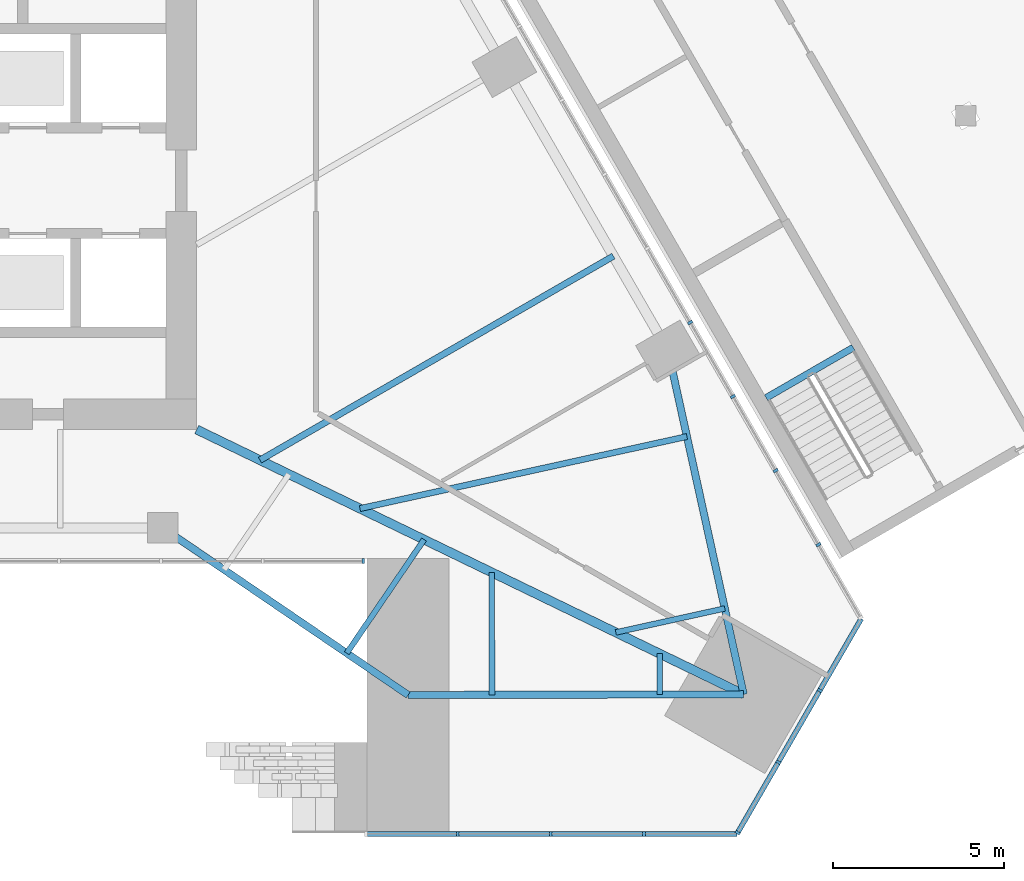
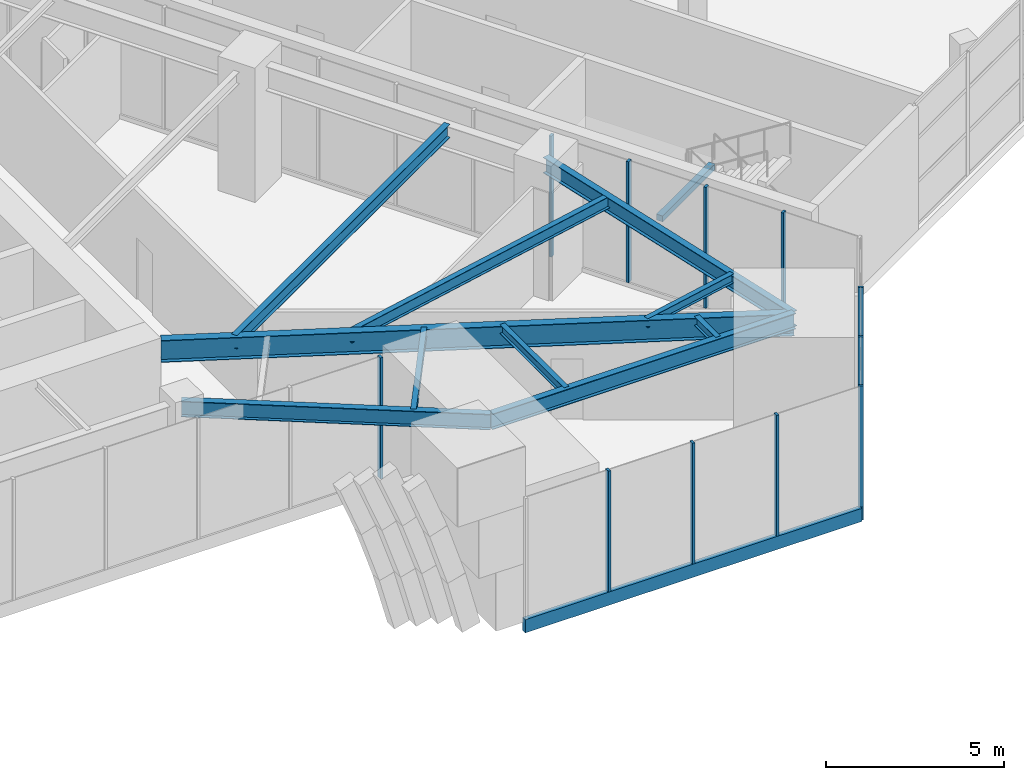
# One storey, part 7 of 29: 13 members, 11 beams, 4 elements without a shape of their own.
"""IFC4 building model written with IfcOpenShell, lengths in metres."""

from ifc_helpers import new_model, si_unit, direction, frame, origin, origin_2d, place, context, subcontext, project, spatial, rectangle, i_section, extrude, material, layer, layer_set, material_profile, profile_set, type_object, element, aggregate, save


model = new_model("IFC4")

# Units and contexts
model_context = context("Model", 3, precision=1e-05, world=origin(), true_north=direction((0.0, 1.0)))
body_context = subcontext(model_context, "Body", "Model", "MODEL_VIEW")
ifc_project = project(units=[si_unit("LENGTHUNIT", "METRE"), si_unit("AREAUNIT", "SQUARE_METRE"), si_unit("VOLUMEUNIT", "CUBIC_METRE"), si_unit("PLANEANGLEUNIT", "RADIAN"), si_unit("MASSUNIT", "GRAM", prefix="KILO")], contexts=[model_context])

# Site, building, storey
site_placement = place(None, origin())
site = spatial("IfcSite", under=ifc_project, at=site_placement, CompositionType="ELEMENT")
building_placement = place(site_placement, origin())
building = spatial("IfcBuilding", under=site, at=building_placement, Name="Firuza Gate Tower and Library", CompositionType="ELEMENT")
storey_placement = place(building_placement, frame((0.0, 0.0, 8.0)))
storey = spatial("IfcBuildingStorey", under=building, at=storey_placement, Name="L01", CompositionType="ELEMENT", Elevation=8.0)

# Curtain wall, member
ifc_material_1 = material(Name="Aluminium 6063-T6", Category="aluminium")
ifc_layer_1 = layer(ifc_material_1, 0.14990234375)
ifc_layer_set_1 = layer_set([ifc_layer_1], Name="Stick curtain wall, gate lobby")
curtain_wall_type_1 = type_object("IfcCurtainWallType", Name="Stick curtain wall, gate lobby", PredefinedType="NOTDEFINED", material=ifc_layer_set_1)
placement = place(storey_placement, origin())
curtain_wall_1 = element("IfcCurtainWall", 1, at=placement, inside=storey, type_object=curtain_wall_type_1, Name="CW7 L01 gate lobby", PredefinedType="NOTDEFINED")
ifc_material_2 = material(Name="Aluminium 6063-T6", Category="aluminium")
ifc_material_profile_1 = material_profile(ifc_material_2, rectangle(XDim=0.14990234375, YDim=0.080078125, at=origin_2d()))
ifc_profile_set_1 = profile_set([ifc_material_profile_1], Name="Aluminium 6063-T6")
member_type_1 = type_object("IfcMemberType", Name="Curtain wall mullion 80x150", PredefinedType="MULLION", material=ifc_profile_set_1)
member_1_placement = place(storey_placement, frame((92.885009765625, 62.140380859375, 0.14990234375), z_axis=(0.0, 0.0, 1.0), x_axis=(0.0, 1.0, 0.0)))
member_1 = element("IfcMember", 2, at=member_1_placement, type_object=member_type_1, Name="Mullion", PredefinedType="MULLION", context=body_context, shape_type="SweptSolid", body=[
    extrude(rectangle(XDim=0.14990234375, YDim=0.080078125, at=origin_2d()), origin(), (0.0, 0.0, 1.0), 4.150146484375),
])
aggregate(curtain_wall_1, [member_1])

# Curtain wall, members
ifc_material_3 = material(Name="Aluminium 6063-T6", Category="aluminium")
ifc_layer_2 = layer(ifc_material_3, 0.14990234375)
ifc_layer_set_2 = layer_set([ifc_layer_2], Name="Stick curtain wall, podium")
curtain_wall_type_2 = type_object("IfcCurtainWallType", Name="Stick curtain wall, podium", PredefinedType="NOTDEFINED", material=ifc_layer_set_2)
curtain_wall_2 = element("IfcCurtainWall", 3, at=placement, inside=storey, type_object=curtain_wall_type_2, Name="CW5 L01 S", PredefinedType="NOTDEFINED")
member_2_placement = place(storey_placement, frame((95.654541015625, 54.140380859375, 0.14990234375), z_axis=(0.0, 0.0, 1.0), x_axis=(0.0, 1.0, 0.0)))
member_2 = element("IfcMember", 4, at=member_2_placement, type_object=member_type_1, Name="Mullion", PredefinedType="MULLION", context=body_context, shape_type="SweptSolid", body=[
    extrude(rectangle(XDim=0.14990234375, YDim=0.080078125, at=origin_2d()), origin(), (0.0, 0.0, 1.0), 4.150146484375),
])
member_3_placement = place(storey_placement, frame((98.384033203125, 54.140380859375, 0.14990234375), z_axis=(0.0, 0.0, 1.0), x_axis=(0.0, 1.0, 0.0)))
member_3 = element("IfcMember", 5, at=member_3_placement, type_object=member_type_1, Name="Mullion", PredefinedType="MULLION", context=body_context, shape_type="SweptSolid", body=[
    extrude(rectangle(XDim=0.14990234375, YDim=0.080078125, at=origin_2d()), origin(), (0.0, 0.0, 1.0), 4.150146484375),
])
member_4_placement = place(storey_placement, frame((101.11376953125, 54.140380859375, 0.14990234375), z_axis=(0.0, 0.0, 1.0), x_axis=(0.0, 1.0, 0.0)))
member_4 = element("IfcMember", 6, at=member_4_placement, type_object=member_type_1, Name="Mullion", PredefinedType="MULLION", context=body_context, shape_type="SweptSolid", body=[
    extrude(rectangle(XDim=0.14990234375, YDim=0.080078125, at=origin_2d()), origin(), (0.0, 0.0, 1.0), 4.150146484375),
])

curtain_wall_3 = element("IfcCurtainWall", 7, at=placement, inside=storey, type_object=curtain_wall_type_2, Name="CW5 L01 SE", PredefinedType="NOTDEFINED")
member_5_placement = place(storey_placement, frame((103.86328125, 54.175048828125, 0.14990234375), z_axis=(0.0, 0.0, 1.0), x_axis=(-0.866025403784, 0.5, 0.0)))
member_5 = element("IfcMember", 8, at=member_5_placement, type_object=member_type_1, Name="Mullion", PredefinedType="MULLION", context=body_context, shape_type="SweptSolid", body=[
    extrude(rectangle(XDim=0.14990234375, YDim=0.080078125, at=origin_2d()), origin(), (0.0, 0.0, 1.0), 4.150146484375),
])
member_6_placement = place(storey_placement, frame((105.0576171875, 56.243896484375, 0.14990234375), z_axis=(0.0, 0.0, 1.0), x_axis=(-0.866025403784, 0.5, 0.0)))
member_6 = element("IfcMember", 9, at=member_6_placement, type_object=member_type_1, Name="Mullion", PredefinedType="MULLION", context=body_context, shape_type="SweptSolid", body=[
    extrude(rectangle(XDim=0.14990234375, YDim=0.080078125, at=origin_2d()), origin(), (0.0, 0.0, 1.0), 4.150146484375),
])
member_7_placement = place(storey_placement, frame((106.272216796875, 58.347412109375, 0.14990234375), z_axis=(0.0, 0.0, 1.0), x_axis=(-0.866025403784, 0.5, 0.0)))
member_7 = element("IfcMember", 10, at=member_7_placement, type_object=member_type_1, Name="Mullion", PredefinedType="MULLION", context=body_context, shape_type="SweptSolid", body=[
    extrude(rectangle(XDim=0.14990234375, YDim=0.080078125, at=origin_2d()), origin(), (0.0, 0.0, 1.0), 4.150146484375),
])

curtain_wall_4 = element("IfcCurtainWall", 11, at=placement, inside=storey, type_object=curtain_wall_type_2, Name="CW5 L01 E", PredefinedType="NOTDEFINED")
member_8_placement = place(storey_placement, frame((106.232666015625, 62.622802734375, 0.14990234375), z_axis=(0.0, 0.0, 1.0), x_axis=(-0.866025403784, -0.5, 0.0)))
member_8 = element("IfcMember", 12, at=member_8_placement, type_object=member_type_1, Name="Mullion", PredefinedType="MULLION", context=body_context, shape_type="SweptSolid", body=[
    extrude(rectangle(XDim=0.14990234375, YDim=0.080078125, at=origin_2d()), origin(), (0.0, 0.0, 1.0), 4.150146484375),
])
member_9_placement = place(storey_placement, frame((104.978515625, 64.794921875, 0.14990234375), z_axis=(0.0, 0.0, 1.0), x_axis=(-0.866025403784, -0.5, 0.0)))
member_9 = element("IfcMember", 13, at=member_9_placement, type_object=member_type_1, Name="Mullion", PredefinedType="MULLION", context=body_context, shape_type="SweptSolid", body=[
    extrude(rectangle(XDim=0.14990234375, YDim=0.080078125, at=origin_2d()), origin(), (0.0, 0.0, 1.0), 4.150146484375),
])
member_10_placement = place(storey_placement, frame((103.724365234375, 66.967041015625, 0.14990234375), z_axis=(0.0, 0.0, 1.0), x_axis=(-0.866025403784, -0.5, 0.0)))
member_10 = element("IfcMember", 14, at=member_10_placement, type_object=member_type_1, Name="Mullion", PredefinedType="MULLION", context=body_context, shape_type="SweptSolid", body=[
    extrude(rectangle(XDim=0.14990234375, YDim=0.080078125, at=origin_2d()), origin(), (0.0, 0.0, 1.0), 4.150146484375),
])
member_11_placement = place(storey_placement, frame((102.470458984375, 69.13916015625, 0.14990234375), z_axis=(0.0, 0.0, 1.0), x_axis=(-0.866025403784, -0.5, 0.0)))
member_11 = element("IfcMember", 15, at=member_11_placement, type_object=member_type_1, Name="Mullion", PredefinedType="MULLION", context=body_context, shape_type="SweptSolid", body=[
    extrude(rectangle(XDim=0.14990234375, YDim=0.080078125, at=origin_2d()), origin(), (0.0, 0.0, 1.0), 4.150146484375),
])
aggregate(curtain_wall_4, [member_8, member_9, member_10, member_11])

# Member
ifc_material_4 = material(Name="Aluminium 6063-T6", Category="aluminium")
ifc_material_profile_2 = material_profile(ifc_material_4, rectangle(XDim=0.14990234375, YDim=0.449951171875, at=origin_2d()))
ifc_profile_set_2 = profile_set([ifc_material_profile_2], Name="Aluminium 6063-T6")
member_type_2 = type_object("IfcMemberType", Name="Curtain wall transom 450x150", PredefinedType="USERDEFINED", material=ifc_profile_set_2)
member_12_placement = place(storey_placement, frame((92.925048828125, 54.140380859375, -0.074951171875), z_axis=(1.0, 0.0, 0.0), x_axis=(0.0, 1.0, 0.0)))
member_12 = element("IfcMember", 16, at=member_12_placement, type_object=member_type_2, Name="Transom", ObjectType="TRANSOM", PredefinedType="USERDEFINED", context=body_context, shape_type="SweptSolid", body=[
    extrude(rectangle(XDim=0.14990234375, YDim=0.449951171875, at=origin_2d()), origin(), (0.0, 0.0, 1.0), 10.918212890625),
])

aggregate(curtain_wall_2, [member_2, member_3, member_4, member_12])

member_13_placement = place(storey_placement, frame((103.84326171875, 54.140380859375, -0.074951171875), z_axis=(0.500005719219, 0.866022101766, 0.0), x_axis=(-0.866022101766, 0.500005719219, 0.0)))
member_13 = element("IfcMember", 17, at=member_13_placement, type_object=member_type_2, Name="Transom", ObjectType="TRANSOM", PredefinedType="USERDEFINED", context=body_context, shape_type="SweptSolid", body=[
    extrude(rectangle(XDim=0.14990234375, YDim=0.449951171875, at=origin_2d()), origin(), (0.0, 0.0, 1.0), 7.28662109375),
])

aggregate(curtain_wall_3, [member_5, member_6, member_7, member_13])

# Beams
ifc_material_5 = material(Name="Concrete C40/50", Category="concrete")
ifc_material_profile_3 = material_profile(ifc_material_5, rectangle(XDim=0.199951171875, YDim=0.199951171875, at=origin_2d()))
ifc_profile_set_3 = profile_set([ifc_material_profile_3], Name="Concrete C40/50")
beam_type_1 = type_object("IfcBeamType", Name="LIB LANDING BEARER 200X200", PredefinedType="BEAM", material=ifc_profile_set_3)
beam_1_placement = place(storey_placement, frame((107.254150390625, 68.4033203125, 2.0), z_axis=(-0.866003658127, -0.500037662692, 0.0), x_axis=(0.500037662692, -0.866003658127, 0.0)))
element("IfcBeam", 18, at=beam_1_placement, inside=storey, type_object=beam_type_1, Name="LIB-ST-B landing bearer L01", PredefinedType="BEAM", context=body_context, shape_type="SweptSolid", body=[
    extrude(rectangle(XDim=0.199951171875, YDim=0.199951171875, at=origin_2d()), origin(), (0.0, 0.0, 1.0), 2.949951171875),
])
ifc_material_6 = material(Name="Steel S355", Category="steel")
ifc_material_profile_4 = material_profile(ifc_material_6, i_section(OverallWidth=0.1650390625, OverallDepth=0.31005859375, WebThickness=0.005859375, FlangeThickness=0.009765625, at=origin_2d()))
ifc_profile_set_4 = profile_set([ifc_material_profile_4], Name="Steel S355")
beam_type_2 = type_object("IfcBeamType", Name="W310x39 Floor beam", PredefinedType="JOIST", material=ifc_profile_set_4)
beam_2_placement = place(storey_placement, frame((92.39990234375, 59.4404296875, 4.14501953125), z_axis=(0.562657973934, 0.826689787265, 0.0), x_axis=(-0.826689787265, 0.562657973934, 0.0)))
element("IfcBeam", 19, at=beam_2_placement, inside=storey, type_object=beam_type_2, Name="Floor beam L01 s41", PredefinedType="JOIST", context=body_context, shape_type="SweptSolid", body=[
    extrude(i_section(OverallWidth=0.1650390625, OverallDepth=0.31005859375, WebThickness=0.005859375, FlangeThickness=0.009765625, at=origin_2d()), origin(), (0.0, 0.0, 1.0), 4.02978515625),
])
beam_3_placement = place(storey_placement, frame((96.660400390625, 58.2197265625, 4.14501953125), z_axis=(-0.001836107072, 0.999998314354, 0.0), x_axis=(-0.999998314354, -0.001836107072, 0.0)))
element("IfcBeam", 20, at=beam_3_placement, inside=storey, type_object=beam_type_2, Name="Floor beam L01 s50", PredefinedType="JOIST", context=body_context, shape_type="SweptSolid", body=[
    extrude(i_section(OverallWidth=0.1650390625, OverallDepth=0.31005859375, WebThickness=0.005859375, FlangeThickness=0.009765625, at=origin_2d()), origin(), (0.0, 0.0, 1.0), 3.590087890625),
])
beam_4_placement = place(storey_placement, frame((101.580810546875, 58.228759765625, 4.14501953125), z_axis=(-0.00183635683, 0.999998313895, 0.0), x_axis=(-0.999998313895, -0.00183635683, 0.0)))
element("IfcBeam", 21, at=beam_4_placement, inside=storey, type_object=beam_type_2, Name="Floor beam L01 s51", PredefinedType="JOIST", context=body_context, shape_type="SweptSolid", body=[
    extrude(i_section(OverallWidth=0.1650390625, OverallDepth=0.31005859375, WebThickness=0.005859375, FlangeThickness=0.009765625, at=origin_2d()), origin(), (0.0, 0.0, 1.0), 1.196533203125),
])
beam_5_placement = place(storey_placement, frame((103.486083984375, 60.75341796875, 4.14501953125), z_axis=(-0.976601243751, -0.215058156564, 0.0), x_axis=(0.215058156564, -0.976601243751, 0.0)))
element("IfcBeam", 22, at=beam_5_placement, inside=storey, type_object=beam_type_2, Name="Floor beam L01 s60", PredefinedType="JOIST", context=body_context, shape_type="SweptSolid", body=[
    extrude(i_section(OverallWidth=0.1650390625, OverallDepth=0.31005859375, WebThickness=0.005859375, FlangeThickness=0.009765625, at=origin_2d()), origin(), (0.0, 0.0, 1.0), 3.27294921875),
])
ifc_material_7 = material(Name="Steel S355", Category="steel")
ifc_material_profile_5 = material_profile(ifc_material_7, i_section(OverallWidth=0.177978515625, OverallDepth=0.406982421875, WebThickness=0.0078125, FlangeThickness=0.0126953125, at=origin_2d()))
ifc_profile_set_5 = profile_set([ifc_material_profile_5], Name="Steel S355")
beam_type_3 = type_object("IfcBeamType", Name="W410x60 Floor beam", PredefinedType="JOIST", material=ifc_profile_set_5)
beam_6_placement = place(storey_placement, frame((102.375732421875, 65.794189453125, 4.096435546875), z_axis=(-0.97658964753, -0.215110809441, 0.0), x_axis=(0.215110809441, -0.97658964753, 0.0)))
element("IfcBeam", 23, at=beam_6_placement, inside=storey, type_object=beam_type_3, Name="Floor beam L01 s61", PredefinedType="JOIST", context=body_context, shape_type="SweptSolid", body=[
    extrude(i_section(OverallWidth=0.177978515625, OverallDepth=0.406982421875, WebThickness=0.0078125, FlangeThickness=0.0126953125, at=origin_2d()), origin(), (0.0, 0.0, 1.0), 9.818359375),
])
ifc_material_8 = material(Name="Steel S355", Category="steel")
ifc_material_profile_6 = material_profile(ifc_material_8, i_section(OverallWidth=0.18994140625, OverallDepth=0.45703125, WebThickness=0.009033203125, FlangeThickness=0.014404296875, at=origin_2d()))
ifc_profile_set_6 = profile_set([ifc_material_profile_6], Name="Steel S355")
beam_type_4 = type_object("IfcBeamType", Name="W460x74 Floor beam", PredefinedType="JOIST", material=ifc_profile_set_6)
beam_7_placement = place(storey_placement, frame((100.220458984375, 71.0859375, 4.071533203125), z_axis=(-0.866020154196, -0.500009092443, 0.0), x_axis=(0.500009092443, -0.866020154196, 0.0)))
element("IfcBeam", 24, at=beam_7_placement, inside=storey, type_object=beam_type_4, Name="Floor beam L01 s70", PredefinedType="JOIST", context=body_context, shape_type="SweptSolid", body=[
    extrude(i_section(OverallWidth=0.18994140625, OverallDepth=0.45703125, WebThickness=0.009033203125, FlangeThickness=0.014404296875, at=origin_2d()), origin(), (0.0, 0.0, 1.0), 11.968505859375),
])
ifc_material_9 = material(Name="Steel S355", Category="steel")
ifc_material_profile_7 = material_profile(ifc_material_9, i_section(OverallWidth=0.212890625, OverallDepth=0.5390625, WebThickness=0.01171875, FlangeThickness=0.018798828125, at=origin_2d()))
ifc_profile_set_7 = profile_set([ifc_material_profile_7], Name="Steel S355")
beam_type_5 = type_object("IfcBeamType", Name="W530x109 Edge beam", PredefinedType="SPANDREL", material=ifc_profile_set_7)
beam_8_placement = place(storey_placement, frame((87.0, 63.115478515625, 4.030517578125), z_axis=(0.826703281934, -0.562638146272, 0.0), x_axis=(0.562638146272, 0.826703281934, 0.0)))
element("IfcBeam", 25, at=beam_8_placement, inside=storey, type_object=beam_type_5, Name="Edge beam L01 e40", PredefinedType="SPANDREL", context=body_context, shape_type="SweptSolid", body=[
    extrude(i_section(OverallWidth=0.212890625, OverallDepth=0.5390625, WebThickness=0.01171875, FlangeThickness=0.018798828125, at=origin_2d()), origin(), (0.0, 0.0, 1.0), 8.709228515625),
])
beam_9_placement = place(storey_placement, frame((94.199951171875, 58.21533203125, 4.030517578125), z_axis=(0.999998360207, 0.001810962051, 0.0), x_axis=(-0.001810962051, 0.999998360207, 0.0)))
element("IfcBeam", 26, at=beam_9_placement, inside=storey, type_object=beam_type_5, Name="Edge beam L01 e50", PredefinedType="SPANDREL", context=body_context, shape_type="SweptSolid", body=[
    extrude(i_section(OverallWidth=0.212890625, OverallDepth=0.5390625, WebThickness=0.01171875, FlangeThickness=0.018798828125, at=origin_2d()), origin(), (0.0, 0.0, 1.0), 9.84130859375),
])
beam_10_placement = place(storey_placement, frame((104.041259765625, 58.233154296875, 4.030517578125), z_axis=(-0.215117130091, 0.976588255275, 0.0), x_axis=(-0.976588255275, -0.215117130091, 0.0)))
element("IfcBeam", 27, at=beam_10_placement, inside=storey, type_object=beam_type_5, Name="Edge beam L01 e60", PredefinedType="SPANDREL", context=body_context, shape_type="SweptSolid", body=[
    extrude(i_section(OverallWidth=0.212890625, OverallDepth=0.5390625, WebThickness=0.01171875, FlangeThickness=0.018798828125, at=origin_2d()), origin(), (0.0, 0.0, 1.0), 10.3232421875),
])
ifc_material_10 = material(Name="Steel S355", Category="steel")
ifc_material_profile_8 = material_profile(ifc_material_10, i_section(OverallWidth=0.264892578125, OverallDepth=0.7529296875, WebThickness=0.01318359375, FlangeThickness=0.01708984375, at=origin_2d()))
ifc_profile_set_8 = profile_set([ifc_material_profile_8], Name="Steel S355")
beam_type_6 = type_object("IfcBeamType", Name="W760x147 Girder", PredefinedType="BEAM", material=ifc_profile_set_8)
beam_11_placement = place(storey_placement, frame((104.041259765625, 58.233154296875, 3.923583984375), z_axis=(-0.900050421894, 0.43578577082, 0.0), x_axis=(-0.43578577082, -0.900050421894, 0.0)))
element("IfcBeam", 28, at=beam_11_placement, inside=storey, type_object=beam_type_6, Name="Girder L01 gSE", PredefinedType="BEAM", context=body_context, shape_type="SweptSolid", body=[
    extrude(i_section(OverallWidth=0.264892578125, OverallDepth=0.7529296875, WebThickness=0.01318359375, FlangeThickness=0.01708984375, at=origin_2d()), origin(), (0.0, 0.0, 1.0), 17.822509765625),
])

save(model, "model.ifc")
